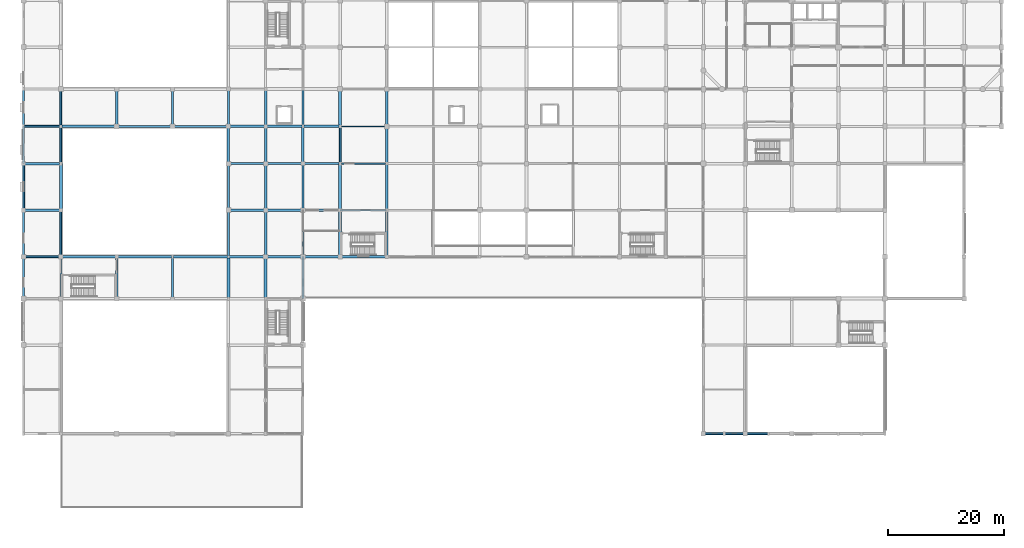
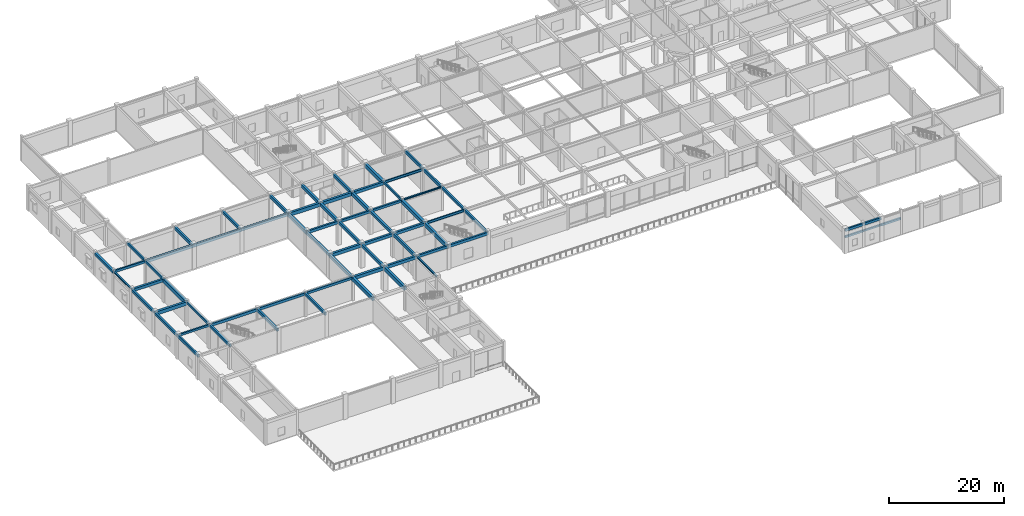
# One storey, part 5 of 36: 67 beams.
"""IFC4 building model written with IfcOpenShell, lengths in metres."""

from ifc_helpers import new_model, si_unit, direction, frame, origin, origin_2d, place, context, subcontext, project, spatial, rectangle, i_section, extrude, material, material_profile, profile_set, type_object, element, save


model = new_model("IFC4")

# Units and contexts
model_context = context("Model", 3, precision=1e-05, world=origin(), true_north=direction((0.0, 1.0)))
body_context = subcontext(model_context, "Body", "Model", "MODEL_VIEW")
ifc_project = project(units=[si_unit("LENGTHUNIT", "METRE"), si_unit("AREAUNIT", "SQUARE_METRE"), si_unit("VOLUMEUNIT", "CUBIC_METRE"), si_unit("PLANEANGLEUNIT", "RADIAN"), si_unit("MASSUNIT", "GRAM", prefix="KILO")], contexts=[model_context])

# Site, building, storey
site_placement = place(None, origin())
site = spatial("IfcSite", under=ifc_project, at=site_placement, CompositionType="ELEMENT")
building_placement = place(site_placement, origin())
building = spatial("IfcBuilding", under=site, at=building_placement, Name="Vellmiral Cinema and Media Centre", CompositionType="ELEMENT")
storey_placement = place(building_placement, frame((0.0, 0.0, 5.39990234375)))
storey = spatial("IfcBuildingStorey", under=building, at=storey_placement, Name="L01", CompositionType="ELEMENT", Elevation=5.39990234375)

# Beams
ifc_material_1 = material(Name="Concrete C40/50", Category="concrete")
ifc_material_profile_1 = material_profile(ifc_material_1, rectangle(XDim=0.300048828125, YDim=0.449951171875, at=origin_2d()), Name="RC 300x450")
ifc_profile_set_1 = profile_set([ifc_material_profile_1], Name="Concrete C40/50")
beam_type_1 = type_object("IfcBeamType", Name="BM-RC-300x450", PredefinedType="BEAM", material=ifc_profile_set_1)
beam_1_placement = place(storey_placement, frame((0.0, 43.199951171875, 4.81005859375), z_axis=(1.0, 0.0, 0.0), x_axis=(0.0, 1.0, 0.0)))
element("IfcBeam", 1, at=beam_1_placement, inside=storey, type_object=beam_type_1, Name="Grid Beam L01-X029", PredefinedType="BEAM", context=body_context, shape_type="SweptSolid", body=[
    extrude(rectangle(XDim=0.300048828125, YDim=0.449951171875, at=origin_2d()), origin(), (0.0, 0.0, 1.0), 6.39990234375),
])
beam_2_placement = place(storey_placement, frame((6.39990234375, 43.199951171875, 4.81005859375), z_axis=(0.0, 1.0, 0.0), x_axis=(-1.0, 0.0, 0.0)))
element("IfcBeam", 2, at=beam_2_placement, inside=storey, type_object=beam_type_1, Name="Grid Beam L01-Y191", PredefinedType="BEAM", context=body_context, shape_type="SweptSolid", body=[
    extrude(rectangle(XDim=0.300048828125, YDim=0.449951171875, at=origin_2d()), origin(), (0.0, 0.0, 1.0), 8.0),
])
beam_3_placement = place(storey_placement, frame((6.39990234375, 65.60009765625, 4.81005859375), z_axis=(0.0, 1.0, 0.0), x_axis=(-1.0, 0.0, 0.0)))
element("IfcBeam", 3, at=beam_3_placement, inside=storey, type_object=beam_type_1, Name="Grid Beam L01-Y194", PredefinedType="BEAM", context=body_context, shape_type="SweptSolid", body=[
    extrude(rectangle(XDim=0.300048828125, YDim=0.449951171875, at=origin_2d()), origin(), (0.0, 0.0, 1.0), 6.39990234375),
])
beam_4_placement = place(storey_placement, frame((54.39990234375, 59.199951171875, 4.81005859375), z_axis=(0.0, 1.0, 0.0), x_axis=(-1.0, 0.0, 0.0)))
element("IfcBeam", 4, at=beam_4_placement, inside=storey, type_object=beam_type_1, Name="Grid Beam L01-Y238", PredefinedType="BEAM", context=body_context, shape_type="SweptSolid", body=[
    extrude(rectangle(XDim=0.300048828125, YDim=0.449951171875, at=origin_2d()), origin(), (0.0, 0.0, 1.0), 6.400146484375),
])
ifc_material_2 = material(Name="Concrete C40/50", Category="concrete")
ifc_material_profile_2 = material_profile(ifc_material_2, rectangle(XDim=0.300048828125, YDim=0.5, at=origin_2d()), Name="RC 300x500")
ifc_profile_set_2 = profile_set([ifc_material_profile_2], Name="Concrete C40/50")
beam_type_2 = type_object("IfcBeamType", Name="BM-RC-300x500", PredefinedType="BEAM", material=ifc_profile_set_2)
beam_5_placement = place(storey_placement, frame((0.0, 65.60009765625, 4.78515625), z_axis=(1.0, 0.0, 0.0), x_axis=(0.0, 1.0, 0.0)))
element("IfcBeam", 5, at=beam_5_placement, inside=storey, type_object=beam_type_2, Name="Grid Beam L01-X072", PredefinedType="BEAM", context=body_context, shape_type="SweptSolid", body=[
    extrude(rectangle(XDim=0.300048828125, YDim=0.5, at=origin_2d()), origin(), (0.0, 0.0, 1.0), 6.39990234375),
])
beam_6_placement = place(storey_placement, frame((6.39990234375, 59.199951171875, 4.78515625), z_axis=(0.0, 1.0, 0.0), x_axis=(-1.0, 0.0, 0.0)))
element("IfcBeam", 6, at=beam_6_placement, inside=storey, type_object=beam_type_2, Name="Grid Beam L01-Y193", PredefinedType="BEAM", context=body_context, shape_type="SweptSolid", body=[
    extrude(rectangle(XDim=0.300048828125, YDim=0.5, at=origin_2d()), origin(), (0.0, 0.0, 1.0), 6.400146484375),
])
ifc_material_3 = material(Name="Concrete C40/50", Category="concrete")
ifc_material_profile_3 = material_profile(ifc_material_3, rectangle(XDim=0.35009765625, YDim=0.5, at=origin_2d()), Name="RC 350x500")
ifc_profile_set_3 = profile_set([ifc_material_profile_3], Name="Concrete C40/50")
beam_type_3 = type_object("IfcBeamType", Name="BM-RC-350x500", PredefinedType="BEAM", material=ifc_profile_set_3)
beam_7_placement = place(storey_placement, frame((25.60009765625, 43.199951171875, 4.78515625), z_axis=(1.0, 0.0, 0.0), x_axis=(0.0, 1.0, 0.0)))
element("IfcBeam", 7, at=beam_7_placement, inside=storey, type_object=beam_type_3, Name="Grid Beam L01-X032", PredefinedType="BEAM", context=body_context, shape_type="SweptSolid", body=[
    extrude(rectangle(XDim=0.35009765625, YDim=0.5, at=origin_2d()), origin(), (0.0, 0.0, 1.0), 9.599853515625),
])
beam_8_placement = place(storey_placement, frame((48.0, 59.199951171875, 4.78515625), z_axis=(1.0, 0.0, 0.0), x_axis=(0.0, 1.0, 0.0)))
element("IfcBeam", 8, at=beam_8_placement, inside=storey, type_object=beam_type_3, Name="Grid Beam L01-X060", PredefinedType="BEAM", context=body_context, shape_type="SweptSolid", body=[
    extrude(rectangle(XDim=0.35009765625, YDim=0.5, at=origin_2d()), origin(), (0.0, 0.0, 1.0), 6.39990234375),
])
beam_9_placement = place(storey_placement, frame((62.39990234375, 51.199951171875, 4.78515625), z_axis=(0.0, 1.0, 0.0), x_axis=(-1.0, 0.0, 0.0)))
element("IfcBeam", 9, at=beam_9_placement, inside=storey, type_object=beam_type_3, Name="Grid Beam L01-Y244", PredefinedType="BEAM", context=body_context, shape_type="SweptSolid", body=[
    extrude(rectangle(XDim=0.35009765625, YDim=0.5, at=origin_2d()), origin(), (0.0, 0.0, 1.0), 8.0),
])
ifc_material_4 = material(Name="Concrete C40/50", Category="concrete")
ifc_material_profile_4 = material_profile(ifc_material_4, rectangle(XDim=0.35009765625, YDim=0.550048828125, at=origin_2d()), Name="RC 350x550")
ifc_profile_set_4 = profile_set([ifc_material_profile_4], Name="Concrete C40/50")
beam_type_4 = type_object("IfcBeamType", Name="BM-RC-350x550", PredefinedType="BEAM", material=ifc_profile_set_4)
beam_10_placement = place(storey_placement, frame((16.0, 43.199951171875, 4.760009765625), z_axis=(1.0, 0.0, 0.0), x_axis=(0.0, 1.0, 0.0)))
element("IfcBeam", 10, at=beam_10_placement, inside=storey, type_object=beam_type_4, Name="Grid Beam L01-X031", PredefinedType="BEAM", context=body_context, shape_type="SweptSolid", body=[
    extrude(rectangle(XDim=0.35009765625, YDim=0.550048828125, at=origin_2d()), origin(), (0.0, 0.0, 1.0), 9.60009765625),
])
beam_11_placement = place(storey_placement, frame((41.60009765625, 59.199951171875, 4.760009765625), z_axis=(1.0, 0.0, 0.0), x_axis=(0.0, 1.0, 0.0)))
element("IfcBeam", 11, at=beam_11_placement, inside=storey, type_object=beam_type_4, Name="Grid Beam L01-X059", PredefinedType="BEAM", context=body_context, shape_type="SweptSolid", body=[
    extrude(rectangle(XDim=0.35009765625, YDim=0.550048828125, at=origin_2d()), origin(), (0.0, 0.0, 1.0), 6.39990234375),
])
beam_12_placement = place(storey_placement, frame((25.60009765625, 65.60009765625, 4.760009765625), z_axis=(1.0, 0.0, 0.0), x_axis=(0.0, 1.0, 0.0)))
element("IfcBeam", 12, at=beam_12_placement, inside=storey, type_object=beam_type_4, Name="Grid Beam L01-X075", PredefinedType="BEAM", context=body_context, shape_type="SweptSolid", body=[
    extrude(rectangle(XDim=0.35009765625, YDim=0.550048828125, at=origin_2d()), origin(), (0.0, 0.0, 1.0), 9.599853515625),
])
for number, where, z_axis, x_axis, name in (
    (13, (6.39990234375, 36.0, 4.760009765625), (0.0, 1.0, 0.0), (-1.0, 0.0, 0.0), "Grid Beam L01-Y190"),
    (14, (25.60009765625, 36.0, 4.760009765625), (0.0, 1.0, 0.0), (-1.0, 0.0, 0.0), "Grid Beam L01-Y201"),
):
    element("IfcBeam", number, at=place(storey_placement, frame(where, z_axis=z_axis, x_axis=x_axis)), inside=storey, type_object=beam_type_4, Name=name, PredefinedType="BEAM", context=body_context, shape_type="SweptSolid", body=[
        extrude(rectangle(XDim=0.35009765625, YDim=0.550048828125, at=origin_2d()), origin(), (0.0, 0.0, 1.0), 7.199951171875),
    ])
beam_13_placement = place(storey_placement, frame((25.60009765625, 65.60009765625, 4.760009765625), z_axis=(0.0, 1.0, 0.0), x_axis=(-1.0, 0.0, 0.0)))
element("IfcBeam", 15, at=beam_13_placement, inside=storey, type_object=beam_type_4, Name="Grid Beam L01-Y202", PredefinedType="BEAM", context=body_context, shape_type="SweptSolid", body=[
    extrude(rectangle(XDim=0.35009765625, YDim=0.550048828125, at=origin_2d()), origin(), (0.0, 0.0, 1.0), 6.39990234375),
])
beam_14_placement = place(storey_placement, frame((62.39990234375, 43.199951171875, 4.760009765625), z_axis=(0.0, 1.0, 0.0), x_axis=(-1.0, 0.0, 0.0)))
element("IfcBeam", 16, at=beam_14_placement, inside=storey, type_object=beam_type_4, Name="Grid Beam L01-Y243", PredefinedType="BEAM", context=body_context, shape_type="SweptSolid", body=[
    extrude(rectangle(XDim=0.35009765625, YDim=0.550048828125, at=origin_2d()), origin(), (0.0, 0.0, 1.0), 8.0),
])
beam_15_placement = place(storey_placement, frame((62.39990234375, 65.60009765625, 4.760009765625), z_axis=(0.0, 1.0, 0.0), x_axis=(-1.0, 0.0, 0.0)))
element("IfcBeam", 17, at=beam_15_placement, inside=storey, type_object=beam_type_4, Name="Grid Beam L01-Y246", PredefinedType="BEAM", context=body_context, shape_type="SweptSolid", body=[
    extrude(rectangle(XDim=0.35009765625, YDim=0.550048828125, at=origin_2d()), origin(), (0.0, 0.0, 1.0), 6.39990234375),
])
ifc_material_5 = material(Name="Concrete C40/50", Category="concrete")
ifc_material_profile_5 = material_profile(ifc_material_5, rectangle(XDim=0.35009765625, YDim=0.60009765625, at=origin_2d()), Name="RC 350x600")
ifc_profile_set_5 = profile_set([ifc_material_profile_5], Name="Concrete C40/50")
beam_type_5 = type_object("IfcBeamType", Name="BM-RC-350x600", PredefinedType="BEAM", material=ifc_profile_set_5)
beam_16_placement = place(storey_placement, frame((6.39990234375, 43.199951171875, 4.735107421875), z_axis=(1.0, 0.0, 0.0), x_axis=(0.0, 1.0, 0.0)))
element("IfcBeam", 18, at=beam_16_placement, inside=storey, type_object=beam_type_5, Name="Grid Beam L01-X030", PredefinedType="BEAM", context=body_context, shape_type="SweptSolid", body=[
    extrude(rectangle(XDim=0.35009765625, YDim=0.60009765625, at=origin_2d()), origin(), (0.0, 0.0, 1.0), 9.60009765625),
])
beam_17_placement = place(storey_placement, frame((35.199951171875, 59.199951171875, 4.735107421875), z_axis=(1.0, 0.0, 0.0), x_axis=(0.0, 1.0, 0.0)))
element("IfcBeam", 19, at=beam_17_placement, inside=storey, type_object=beam_type_5, Name="Grid Beam L01-X058", PredefinedType="BEAM", context=body_context, shape_type="SweptSolid", body=[
    extrude(rectangle(XDim=0.35009765625, YDim=0.60009765625, at=origin_2d()), origin(), (0.0, 0.0, 1.0), 6.400146484375),
])
beam_18_placement = place(storey_placement, frame((16.0, 65.60009765625, 4.735107421875), z_axis=(1.0, 0.0, 0.0), x_axis=(0.0, 1.0, 0.0)))
element("IfcBeam", 20, at=beam_18_placement, inside=storey, type_object=beam_type_5, Name="Grid Beam L01-X074", PredefinedType="BEAM", context=body_context, shape_type="SweptSolid", body=[
    extrude(rectangle(XDim=0.35009765625, YDim=0.60009765625, at=origin_2d()), origin(), (0.0, 0.0, 1.0), 9.60009765625),
])
beam_19_placement = place(storey_placement, frame((62.39990234375, 59.199951171875, 4.735107421875), z_axis=(0.0, 1.0, 0.0), x_axis=(-1.0, 0.0, 0.0)))
element("IfcBeam", 21, at=beam_19_placement, inside=storey, type_object=beam_type_5, Name="Grid Beam L01-Y245", PredefinedType="BEAM", context=body_context, shape_type="SweptSolid", body=[
    extrude(rectangle(XDim=0.35009765625, YDim=0.60009765625, at=origin_2d()), origin(), (0.0, 0.0, 1.0), 6.400146484375),
])
ifc_material_6 = material(Name="Concrete C40/50", Category="concrete")
ifc_material_profile_6 = material_profile(ifc_material_6, rectangle(XDim=0.39990234375, YDim=0.60009765625, at=origin_2d()), Name="RC 400x600")
ifc_profile_set_6 = profile_set([ifc_material_profile_6], Name="Concrete C40/50")
beam_type_6 = type_object("IfcBeamType", Name="BM-RC-400x600", PredefinedType="BEAM", material=ifc_profile_set_6)
for number, where, z_axis, x_axis, name in (
    (22, (48.0, 51.199951171875, 4.735107421875), (1.0, 0.0, 0.0), (0.0, 1.0, 0.0), "Grid Beam L01-X046"),
    (23, (0.0, 59.199951171875, 4.735107421875), (1.0, 0.0, 0.0), (0.0, 1.0, 0.0), "Grid Beam L01-X057"),
):
    element("IfcBeam", number, at=place(storey_placement, frame(where, z_axis=z_axis, x_axis=x_axis)), inside=storey, type_object=beam_type_6, Name=name, PredefinedType="BEAM", context=body_context, shape_type="SweptSolid", body=[
        extrude(rectangle(XDim=0.39990234375, YDim=0.60009765625, at=origin_2d()), origin(), (0.0, 0.0, 1.0), 6.39990234375),
    ])
beam_20_placement = place(storey_placement, frame((6.39990234375, 65.60009765625, 4.735107421875), z_axis=(1.0, 0.0, 0.0), x_axis=(0.0, 1.0, 0.0)))
element("IfcBeam", 24, at=beam_20_placement, inside=storey, type_object=beam_type_6, Name="Grid Beam L01-X073", PredefinedType="BEAM", context=body_context, shape_type="SweptSolid", body=[
    extrude(rectangle(XDim=0.39990234375, YDim=0.60009765625, at=origin_2d()), origin(), (0.0, 0.0, 1.0), 9.60009765625),
])
beam_21_placement = place(storey_placement, frame((16.0, 36.0, 4.735107421875), z_axis=(0.0, 1.0, 0.0), x_axis=(-1.0, 0.0, 0.0)))
element("IfcBeam", 25, at=beam_21_placement, inside=storey, type_object=beam_type_6, Name="Grid Beam L01-Y199", PredefinedType="BEAM", context=body_context, shape_type="SweptSolid", body=[
    extrude(rectangle(XDim=0.39990234375, YDim=0.60009765625, at=origin_2d()), origin(), (0.0, 0.0, 1.0), 7.199951171875),
])
beam_22_placement = place(storey_placement, frame((16.0, 65.60009765625, 4.735107421875), z_axis=(0.0, 1.0, 0.0), x_axis=(-1.0, 0.0, 0.0)))
element("IfcBeam", 26, at=beam_22_placement, inside=storey, type_object=beam_type_6, Name="Grid Beam L01-Y200", PredefinedType="BEAM", context=body_context, shape_type="SweptSolid", body=[
    extrude(rectangle(XDim=0.39990234375, YDim=0.60009765625, at=origin_2d()), origin(), (0.0, 0.0, 1.0), 6.39990234375),
])
for number, where, z_axis, x_axis, name in (
    (27, (35.199951171875, 51.199951171875, 4.735107421875), (0.0, 1.0, 0.0), (-1.0, 0.0, 0.0), "Grid Beam L01-Y208"),
    (28, (41.60009765625, 51.199951171875, 4.735107421875), (0.0, 1.0, 0.0), (-1.0, 0.0, 0.0), "Grid Beam L01-Y219"),
    (29, (48.0, 51.199951171875, 4.735107421875), (0.0, 1.0, 0.0), (-1.0, 0.0, 0.0), "Grid Beam L01-Y230"),
):
    element("IfcBeam", number, at=place(storey_placement, frame(where, z_axis=z_axis, x_axis=x_axis)), inside=storey, type_object=beam_type_6, Name=name, PredefinedType="BEAM", context=body_context, shape_type="SweptSolid", body=[
        extrude(rectangle(XDim=0.39990234375, YDim=0.60009765625, at=origin_2d()), origin(), (0.0, 0.0, 1.0), 8.0),
    ])
ifc_material_7 = material(Name="Concrete C40/50", Category="concrete")
ifc_material_profile_7 = material_profile(ifc_material_7, rectangle(XDim=0.39990234375, YDim=0.64990234375, at=origin_2d()), Name="RC 400x650")
ifc_profile_set_7 = profile_set([ifc_material_profile_7], Name="Concrete C40/50")
beam_type_7 = type_object("IfcBeamType", Name="BM-RC-400x650", PredefinedType="BEAM", material=ifc_profile_set_7)
for number, where, z_axis, x_axis, name in (
    (30, (41.60009765625, 43.199951171875, 4.710205078125), (1.0, 0.0, 0.0), (0.0, 1.0, 0.0), "Grid Beam L01-X034"),
    (31, (41.60009765625, 51.199951171875, 4.710205078125), (1.0, 0.0, 0.0), (0.0, 1.0, 0.0), "Grid Beam L01-X045"),
    (32, (48.0, 65.60009765625, 4.710205078125), (1.0, 0.0, 0.0), (0.0, 1.0, 0.0), "Grid Beam L01-X078"),
):
    element("IfcBeam", number, at=place(storey_placement, frame(where, z_axis=z_axis, x_axis=x_axis)), inside=storey, type_object=beam_type_7, Name=name, PredefinedType="BEAM", context=body_context, shape_type="SweptSolid", body=[
        extrude(rectangle(XDim=0.39990234375, YDim=0.64990234375, at=origin_2d()), origin(), (0.0, 0.0, 1.0), 6.39990234375),
    ])
beam_23_placement = place(storey_placement, frame((35.199951171875, 43.199951171875, 4.710205078125), z_axis=(0.0, 1.0, 0.0), x_axis=(-1.0, 0.0, 0.0)))
element("IfcBeam", 33, at=beam_23_placement, inside=storey, type_object=beam_type_7, Name="Grid Beam L01-Y207", PredefinedType="BEAM", context=body_context, shape_type="SweptSolid", body=[
    extrude(rectangle(XDim=0.39990234375, YDim=0.64990234375, at=origin_2d()), origin(), (0.0, 0.0, 1.0), 8.0),
])
beam_24_placement = place(storey_placement, frame((35.199951171875, 65.60009765625, 4.710205078125), z_axis=(0.0, 1.0, 0.0), x_axis=(-1.0, 0.0, 0.0)))
element("IfcBeam", 34, at=beam_24_placement, inside=storey, type_object=beam_type_7, Name="Grid Beam L01-Y210", PredefinedType="BEAM", context=body_context, shape_type="SweptSolid", body=[
    extrude(rectangle(XDim=0.39990234375, YDim=0.64990234375, at=origin_2d()), origin(), (0.0, 0.0, 1.0), 6.39990234375),
])
beam_25_placement = place(storey_placement, frame((41.60009765625, 43.199951171875, 4.710205078125), z_axis=(0.0, 1.0, 0.0), x_axis=(-1.0, 0.0, 0.0)))
element("IfcBeam", 35, at=beam_25_placement, inside=storey, type_object=beam_type_7, Name="Grid Beam L01-Y218", PredefinedType="BEAM", context=body_context, shape_type="SweptSolid", body=[
    extrude(rectangle(XDim=0.39990234375, YDim=0.64990234375, at=origin_2d()), origin(), (0.0, 0.0, 1.0), 8.0),
])
beam_26_placement = place(storey_placement, frame((41.60009765625, 65.60009765625, 4.710205078125), z_axis=(0.0, 1.0, 0.0), x_axis=(-1.0, 0.0, 0.0)))
element("IfcBeam", 36, at=beam_26_placement, inside=storey, type_object=beam_type_7, Name="Grid Beam L01-Y221", PredefinedType="BEAM", context=body_context, shape_type="SweptSolid", body=[
    extrude(rectangle(XDim=0.39990234375, YDim=0.64990234375, at=origin_2d()), origin(), (0.0, 0.0, 1.0), 6.39990234375),
])
beam_27_placement = place(storey_placement, frame((48.0, 43.199951171875, 4.710205078125), z_axis=(0.0, 1.0, 0.0), x_axis=(-1.0, 0.0, 0.0)))
element("IfcBeam", 37, at=beam_27_placement, inside=storey, type_object=beam_type_7, Name="Grid Beam L01-Y229", PredefinedType="BEAM", context=body_context, shape_type="SweptSolid", body=[
    extrude(rectangle(XDim=0.39990234375, YDim=0.64990234375, at=origin_2d()), origin(), (0.0, 0.0, 1.0), 8.0),
])
beam_28_placement = place(storey_placement, frame((48.0, 65.60009765625, 4.710205078125), z_axis=(0.0, 1.0, 0.0), x_axis=(-1.0, 0.0, 0.0)))
element("IfcBeam", 38, at=beam_28_placement, inside=storey, type_object=beam_type_7, Name="Grid Beam L01-Y232", PredefinedType="BEAM", context=body_context, shape_type="SweptSolid", body=[
    extrude(rectangle(XDim=0.39990234375, YDim=0.64990234375, at=origin_2d()), origin(), (0.0, 0.0, 1.0), 6.39990234375),
])
ifc_material_8 = material(Name="Concrete C40/50", Category="concrete")
ifc_material_profile_8 = material_profile(ifc_material_8, rectangle(XDim=0.449951171875, YDim=0.699951171875, at=origin_2d()), Name="RC 450x700")
ifc_profile_set_8 = profile_set([ifc_material_profile_8], Name="Concrete C40/50")
beam_type_8 = type_object("IfcBeamType", Name="BM-RC-450x700", PredefinedType="BEAM", material=ifc_profile_set_8)
for number, where, z_axis, x_axis, name in (
    (39, (35.199951171875, 43.199951171875, 4.68505859375), (1.0, 0.0, 0.0), (0.0, 1.0, 0.0), "Grid Beam L01-X033"),
    (40, (35.199951171875, 51.199951171875, 4.68505859375), (1.0, 0.0, 0.0), (0.0, 1.0, 0.0), "Grid Beam L01-X044"),
):
    element("IfcBeam", number, at=place(storey_placement, frame(where, z_axis=z_axis, x_axis=x_axis)), inside=storey, type_object=beam_type_8, Name=name, PredefinedType="BEAM", context=body_context, shape_type="SweptSolid", body=[
        extrude(rectangle(XDim=0.449951171875, YDim=0.699951171875, at=origin_2d()), origin(), (0.0, 0.0, 1.0), 6.400146484375),
    ])
beam_29_placement = place(storey_placement, frame((41.60009765625, 65.60009765625, 4.68505859375), z_axis=(1.0, 0.0, 0.0), x_axis=(0.0, 1.0, 0.0)))
element("IfcBeam", 41, at=beam_29_placement, inside=storey, type_object=beam_type_8, Name="Grid Beam L01-X077", PredefinedType="BEAM", context=body_context, shape_type="SweptSolid", body=[
    extrude(rectangle(XDim=0.449951171875, YDim=0.699951171875, at=origin_2d()), origin(), (0.0, 0.0, 1.0), 6.39990234375),
])
for number, where, z_axis, x_axis, name in (
    (42, (35.199951171875, 59.199951171875, 4.68505859375), (0.0, 1.0, 0.0), (-1.0, 0.0, 0.0), "Grid Beam L01-Y209"),
    (43, (41.60009765625, 59.199951171875, 4.68505859375), (0.0, 1.0, 0.0), (-1.0, 0.0, 0.0), "Grid Beam L01-Y220"),
    (44, (48.0, 59.199951171875, 4.68505859375), (0.0, 1.0, 0.0), (-1.0, 0.0, 0.0), "Grid Beam L01-Y231"),
):
    element("IfcBeam", number, at=place(storey_placement, frame(where, z_axis=z_axis, x_axis=x_axis)), inside=storey, type_object=beam_type_8, Name=name, PredefinedType="BEAM", context=body_context, shape_type="SweptSolid", body=[
        extrude(rectangle(XDim=0.449951171875, YDim=0.699951171875, at=origin_2d()), origin(), (0.0, 0.0, 1.0), 6.400146484375),
    ])
ifc_material_9 = material(Name="Concrete C40/50", Category="concrete")
ifc_material_profile_9 = material_profile(ifc_material_9, rectangle(XDim=0.449951171875, YDim=0.75, at=origin_2d()), Name="RC 450x750")
ifc_profile_set_9 = profile_set([ifc_material_profile_9], Name="Concrete C40/50")
beam_type_9 = type_object("IfcBeamType", Name="BM-RC-450x750", PredefinedType="BEAM", material=ifc_profile_set_9)
beam_30_placement = place(storey_placement, frame((0.0, 51.199951171875, 4.66015625), z_axis=(1.0, 0.0, 0.0), x_axis=(0.0, 1.0, 0.0)))
element("IfcBeam", 45, at=beam_30_placement, inside=storey, type_object=beam_type_9, Name="Grid Beam L01-X043", PredefinedType="BEAM", context=body_context, shape_type="SweptSolid", body=[
    extrude(rectangle(XDim=0.449951171875, YDim=0.75, at=origin_2d()), origin(), (0.0, 0.0, 1.0), 6.39990234375),
])
beam_31_placement = place(storey_placement, frame((35.199951171875, 65.60009765625, 4.66015625), z_axis=(1.0, 0.0, 0.0), x_axis=(0.0, 1.0, 0.0)))
element("IfcBeam", 46, at=beam_31_placement, inside=storey, type_object=beam_type_9, Name="Grid Beam L01-X076", PredefinedType="BEAM", context=body_context, shape_type="SweptSolid", body=[
    extrude(rectangle(XDim=0.449951171875, YDim=0.75, at=origin_2d()), origin(), (0.0, 0.0, 1.0), 6.400146484375),
])
ifc_material_10 = material(Name="Concrete C40/50", Category="concrete")
ifc_material_profile_10 = material_profile(ifc_material_10, rectangle(XDim=0.5, YDim=0.800048828125, at=origin_2d()), Name="RC 500x800")
ifc_profile_set_10 = profile_set([ifc_material_profile_10], Name="Concrete C40/50")
beam_type_10 = type_object("IfcBeamType", Name="BM-RC-500x800", PredefinedType="BEAM", material=ifc_profile_set_10)
for number, where, z_axis, x_axis, name in (
    (47, (35.199951171875, 36.0, 4.635009765625), (0.0, 1.0, 0.0), (-1.0, 0.0, 0.0), "Grid Beam L01-Y206"),
    (48, (41.60009765625, 36.0, 4.635009765625), (0.0, 1.0, 0.0), (-1.0, 0.0, 0.0), "Grid Beam L01-Y217"),
):
    element("IfcBeam", number, at=place(storey_placement, frame(where, z_axis=z_axis, x_axis=x_axis)), inside=storey, type_object=beam_type_10, Name=name, PredefinedType="BEAM", context=body_context, shape_type="SweptSolid", body=[
        extrude(rectangle(XDim=0.5, YDim=0.800048828125, at=origin_2d()), origin(), (0.0, 0.0, 1.0), 7.199951171875),
    ])
beam_32_placement = place(storey_placement, frame((54.39990234375, 51.199951171875, 4.635009765625), z_axis=(0.0, 1.0, 0.0), x_axis=(-1.0, 0.0, 0.0)))
element("IfcBeam", 49, at=beam_32_placement, inside=storey, type_object=beam_type_10, Name="Grid Beam L01-Y237", PredefinedType="BEAM", context=body_context, shape_type="SweptSolid", body=[
    extrude(rectangle(XDim=0.5, YDim=0.800048828125, at=origin_2d()), origin(), (0.0, 0.0, 1.0), 8.0),
])
ifc_material_11 = material(Name="Concrete C40/50", Category="concrete")
ifc_material_profile_11 = material_profile(ifc_material_11, rectangle(XDim=0.5, YDim=0.85009765625, at=origin_2d()), Name="RC 500x850")
ifc_profile_set_11 = profile_set([ifc_material_profile_11], Name="Concrete C40/50")
beam_type_11 = type_object("IfcBeamType", Name="BM-RC-500x850", PredefinedType="BEAM", material=ifc_profile_set_11)
for number, where, z_axis, x_axis, name in (
    (50, (6.39990234375, 51.199951171875, 4.610107421875), (0.0, 1.0, 0.0), (-1.0, 0.0, 0.0), "Grid Beam L01-Y192"),
    (51, (54.39990234375, 43.199951171875, 4.610107421875), (0.0, 1.0, 0.0), (-1.0, 0.0, 0.0), "Grid Beam L01-Y236"),
):
    element("IfcBeam", number, at=place(storey_placement, frame(where, z_axis=z_axis, x_axis=x_axis)), inside=storey, type_object=beam_type_11, Name=name, PredefinedType="BEAM", context=body_context, shape_type="SweptSolid", body=[
        extrude(rectangle(XDim=0.5, YDim=0.85009765625, at=origin_2d()), origin(), (0.0, 0.0, 1.0), 8.0),
    ])
beam_33_placement = place(storey_placement, frame((54.39990234375, 65.60009765625, 4.610107421875), z_axis=(0.0, 1.0, 0.0), x_axis=(-1.0, 0.0, 0.0)))
element("IfcBeam", 52, at=beam_33_placement, inside=storey, type_object=beam_type_11, Name="Grid Beam L01-Y239", PredefinedType="BEAM", context=body_context, shape_type="SweptSolid", body=[
    extrude(rectangle(XDim=0.5, YDim=0.85009765625, at=origin_2d()), origin(), (0.0, 0.0, 1.0), 6.39990234375),
])
ifc_material_12 = material(Name="Concrete C40/50", Category="concrete")
ifc_material_profile_12 = material_profile(ifc_material_12, rectangle(XDim=0.280029296875, YDim=0.35009765625, at=origin_2d()), Name="RC 280x350")
ifc_profile_set_12 = profile_set([ifc_material_profile_12], Name="Concrete C40/50")
beam_type_12 = type_object("IfcBeamType", Name="LNT-RC-280x350", PredefinedType="LINTEL", material=ifc_profile_set_12)
beam_34_placement = place(storey_placement, frame((120.39990234375, 12.800048828125, 3.35009765625), z_axis=(1.0, 0.0, 0.0), x_axis=(0.0, 1.0, 0.0)))
element("IfcBeam", 53, at=beam_34_placement, inside=storey, type_object=beam_type_12, Name="Harbour Arcade Lintel L01-12", PredefinedType="LINTEL", context=body_context, shape_type="SweptSolid", body=[
    extrude(rectangle(XDim=0.280029296875, YDim=0.35009765625, at=origin_2d()), origin(), (0.0, 0.0, 1.0), 3.60009765625),
])
ifc_material_13 = material(Name="Vosges Red Sandstone Masonry", Category="masonry")
ifc_material_profile_13 = material_profile(ifc_material_13, rectangle(XDim=0.320068359375, YDim=0.39990234375, at=origin_2d()), Name="SAND 320x400")
ifc_profile_set_13 = profile_set([ifc_material_profile_13], Name="Vosges Red Sandstone Masonry")
beam_type_13 = type_object("IfcBeamType", Name="LNT-SAND-320x400", PredefinedType="LINTEL", material=ifc_profile_set_13)
beam_35_placement = place(storey_placement, frame((116.800048828125, 12.800048828125, 3.35009765625), z_axis=(1.0, 0.0, 0.0), x_axis=(0.0, 1.0, 0.0)))
element("IfcBeam", 54, at=beam_35_placement, inside=storey, type_object=beam_type_13, Name="Harbour Arcade Lintel L01-11", PredefinedType="LINTEL", context=body_context, shape_type="SweptSolid", body=[
    extrude(rectangle(XDim=0.320068359375, YDim=0.39990234375, at=origin_2d()), origin(), (0.0, 0.0, 1.0), 3.599853515625),
])
beam_36_placement = place(storey_placement, frame((124.0, 12.800048828125, 3.35009765625), z_axis=(1.0, 0.0, 0.0), x_axis=(0.0, 1.0, 0.0)))
element("IfcBeam", 55, at=beam_36_placement, inside=storey, type_object=beam_type_13, Name="Harbour Arcade Lintel L01-13", PredefinedType="LINTEL", context=body_context, shape_type="SweptSolid", body=[
    extrude(rectangle(XDim=0.320068359375, YDim=0.39990234375, at=origin_2d()), origin(), (0.0, 0.0, 1.0), 4.0),
])
ifc_material_14 = material(Name="Steel S355", Category="steel")
ifc_material_profile_14 = material_profile(ifc_material_14, i_section(OverallWidth=0.280029296875, OverallDepth=0.280029296875, WebThickness=0.010498046875, FlangeThickness=0.01806640625, FilletRadius=0.02392578125, at=origin_2d()), Name="HEB 280")
ifc_profile_set_14 = profile_set([ifc_material_profile_14], Name="Steel S355")
beam_type_14 = type_object("IfcBeamType", Name="SBM-HEB280", PredefinedType="BEAM", material=ifc_profile_set_14)
beam_37_placement = place(storey_placement, frame((54.39990234375, 59.199951171875, 4.89501953125), z_axis=(1.0, 0.0, 0.0), x_axis=(0.0, 1.0, 0.0)))
element("IfcBeam", 56, at=beam_37_placement, inside=storey, type_object=beam_type_14, Name="Grid Beam L01-X061", PredefinedType="BEAM", context=body_context, shape_type="SweptSolid", body=[
    extrude(i_section(OverallWidth=0.280029296875, OverallDepth=0.280029296875, WebThickness=0.010498046875, FlangeThickness=0.01806640625, FilletRadius=0.02392578125, at=origin_2d()), origin(), (0.0, 0.0, 1.0), 8.0),
])
ifc_material_15 = material(Name="Steel S355", Category="steel")
ifc_material_profile_15 = material_profile(ifc_material_15, i_section(OverallWidth=0.300048828125, OverallDepth=0.300048828125, WebThickness=0.010986328125, FlangeThickness=0.01904296875, FilletRadius=0.027099609375, at=origin_2d()), Name="HEB 300")
ifc_profile_set_15 = profile_set([ifc_material_profile_15], Name="Steel S355")
beam_type_15 = type_object("IfcBeamType", Name="SBM-HEB300", PredefinedType="SPANDREL", material=ifc_profile_set_15)
beam_38_placement = place(storey_placement, frame((0.0, 59.199951171875, 4.885009765625), z_axis=(0.0, 1.0, 0.0), x_axis=(-1.0, 0.0, 0.0)))
element("IfcBeam", 57, at=beam_38_placement, inside=storey, type_object=beam_type_15, Name="Grid Beam L01-Y183", PredefinedType="SPANDREL", context=body_context, shape_type="SweptSolid", body=[
    extrude(i_section(OverallWidth=0.300048828125, OverallDepth=0.300048828125, WebThickness=0.010986328125, FlangeThickness=0.01904296875, FilletRadius=0.027099609375, at=origin_2d()), origin(), (0.0, 0.0, 1.0), 6.400146484375),
])
beam_39_placement = place(storey_placement, frame((48.0, 36.0, 4.885009765625), z_axis=(0.0, 1.0, 0.0), x_axis=(-1.0, 0.0, 0.0)))
element("IfcBeam", 58, at=beam_39_placement, inside=storey, type_object=beam_type_15, Name="Grid Beam L01-Y228", PredefinedType="SPANDREL", context=body_context, shape_type="SweptSolid", body=[
    extrude(i_section(OverallWidth=0.300048828125, OverallDepth=0.300048828125, WebThickness=0.010986328125, FlangeThickness=0.01904296875, FilletRadius=0.027099609375, at=origin_2d()), origin(), (0.0, 0.0, 1.0), 7.199951171875),
])
ifc_material_16 = material(Name="Steel S355", Category="steel")
ifc_material_profile_16 = material_profile(ifc_material_16, i_section(OverallWidth=0.2099609375, OverallDepth=0.550048828125, WebThickness=0.010986328125, FlangeThickness=0.01708984375, FilletRadius=0.02392578125, at=origin_2d()), Name="IPE 550")
ifc_profile_set_16 = profile_set([ifc_material_profile_16], Name="Steel S355")
beam_type_16 = type_object("IfcBeamType", Name="SBM-IPE550", PredefinedType="BEAM", material=ifc_profile_set_16)
for number, where, z_axis, x_axis, name in (
    (59, (54.39990234375, 51.199951171875, 4.760009765625), (1.0, 0.0, 0.0), (0.0, 1.0, 0.0), "Grid Beam L01-X047"),
    (60, (54.39990234375, 65.60009765625, 4.760009765625), (1.0, 0.0, 0.0), (0.0, 1.0, 0.0), "Grid Beam L01-X079"),
):
    element("IfcBeam", number, at=place(storey_placement, frame(where, z_axis=z_axis, x_axis=x_axis)), inside=storey, type_object=beam_type_16, Name=name, PredefinedType="BEAM", context=body_context, shape_type="SweptSolid", body=[
        extrude(i_section(OverallWidth=0.2099609375, OverallDepth=0.550048828125, WebThickness=0.010986328125, FlangeThickness=0.01708984375, FilletRadius=0.02392578125, at=origin_2d()), origin(), (0.0, 0.0, 1.0), 8.0),
    ])
ifc_material_17 = material(Name="Concrete C40/50", Category="concrete")
ifc_material_profile_17 = material_profile(ifc_material_17, rectangle(XDim=0.35009765625, YDim=0.56005859375, at=origin_2d()), Name="RC 350x560")
ifc_profile_set_17 = profile_set([ifc_material_profile_17], Name="Concrete C40/50")
beam_type_17 = type_object("IfcBeamType", Name="SPD-RC-350x560", PredefinedType="SPANDREL", material=ifc_profile_set_17)
beam_40_placement = place(storey_placement, frame((48.0, 43.199951171875, 4.755126953125), z_axis=(1.0, 0.0, 0.0), x_axis=(0.0, 1.0, 0.0)))
element("IfcBeam", 61, at=beam_40_placement, inside=storey, type_object=beam_type_17, Name="Grid Beam L01-X035", PredefinedType="SPANDREL", context=body_context, shape_type="SweptSolid", body=[
    extrude(rectangle(XDim=0.35009765625, YDim=0.56005859375, at=origin_2d()), origin(), (0.0, 0.0, 1.0), 6.39990234375),
])
beam_41_placement = place(storey_placement, frame((0.0, 36.0, 4.755126953125), z_axis=(0.0, 1.0, 0.0), x_axis=(-1.0, 0.0, 0.0)))
element("IfcBeam", 62, at=beam_41_placement, inside=storey, type_object=beam_type_17, Name="Grid Beam L01-Y180", PredefinedType="SPANDREL", context=body_context, shape_type="SweptSolid", body=[
    extrude(rectangle(XDim=0.35009765625, YDim=0.56005859375, at=origin_2d()), origin(), (0.0, 0.0, 1.0), 7.199951171875),
])
ifc_material_18 = material(Name="Concrete C40/50", Category="concrete")
ifc_material_profile_18 = material_profile(ifc_material_18, rectangle(XDim=0.39990234375, YDim=0.60009765625, at=origin_2d()), Name="RC 400x600")
ifc_profile_set_18 = profile_set([ifc_material_profile_18], Name="Concrete C40/50")
beam_type_18 = type_object("IfcBeamType", Name="SPD-RC-400x600", PredefinedType="SPANDREL", material=ifc_profile_set_18)
beam_42_placement = place(storey_placement, frame((0.0, 65.60009765625, 4.735107421875), z_axis=(0.0, 1.0, 0.0), x_axis=(-1.0, 0.0, 0.0)))
element("IfcBeam", 63, at=beam_42_placement, inside=storey, type_object=beam_type_18, Name="Grid Beam L01-Y184", PredefinedType="SPANDREL", context=body_context, shape_type="SweptSolid", body=[
    extrude(rectangle(XDim=0.39990234375, YDim=0.60009765625, at=origin_2d()), origin(), (0.0, 0.0, 1.0), 6.39990234375),
])
ifc_material_19 = material(Name="Vosges Red Sandstone Masonry", Category="masonry")
ifc_material_profile_19 = material_profile(ifc_material_19, rectangle(XDim=0.340087890625, YDim=0.52001953125, at=origin_2d()), Name="SAND 340x520")
ifc_profile_set_19 = profile_set([ifc_material_profile_19], Name="Vosges Red Sandstone Masonry")
beam_type_19 = type_object("IfcBeamType", Name="SPD-SAND-340x520", PredefinedType="SPANDREL", material=ifc_profile_set_19)
beam_43_placement = place(storey_placement, frame((116.800048828125, 12.800048828125, 4.775146484375), z_axis=(1.0, 0.0, 0.0), x_axis=(0.0, 1.0, 0.0)))
element("IfcBeam", 64, at=beam_43_placement, inside=storey, type_object=beam_type_19, Name="Grid Beam L01-X007", PredefinedType="SPANDREL", context=body_context, shape_type="SweptSolid", body=[
    extrude(rectangle(XDim=0.340087890625, YDim=0.52001953125, at=origin_2d()), origin(), (0.0, 0.0, 1.0), 7.199951171875),
])
beam_44_placement = place(storey_placement, frame((0.0, 51.199951171875, 4.775146484375), z_axis=(0.0, 1.0, 0.0), x_axis=(-1.0, 0.0, 0.0)))
element("IfcBeam", 65, at=beam_44_placement, inside=storey, type_object=beam_type_19, Name="Grid Beam L01-Y182", PredefinedType="SPANDREL", context=body_context, shape_type="SweptSolid", body=[
    extrude(rectangle(XDim=0.340087890625, YDim=0.52001953125, at=origin_2d()), origin(), (0.0, 0.0, 1.0), 8.0),
])
ifc_material_20 = material(Name="Vosges Red Sandstone Masonry", Category="masonry")
ifc_material_profile_20 = material_profile(ifc_material_20, rectangle(XDim=0.3798828125, YDim=0.580078125, at=origin_2d()), Name="SAND 380x580")
ifc_profile_set_20 = profile_set([ifc_material_profile_20], Name="Vosges Red Sandstone Masonry")
beam_type_20 = type_object("IfcBeamType", Name="SPD-SAND-380x580", PredefinedType="SPANDREL", material=ifc_profile_set_20)
for number, where, z_axis, x_axis, name in (
    (66, (54.39990234375, 43.199951171875, 4.7451171875), (1.0, 0.0, 0.0), (0.0, 1.0, 0.0), "Grid Beam L01-X036"),
    (67, (0.0, 43.199951171875, 4.7451171875), (0.0, 1.0, 0.0), (-1.0, 0.0, 0.0), "Grid Beam L01-Y181"),
):
    element("IfcBeam", number, at=place(storey_placement, frame(where, z_axis=z_axis, x_axis=x_axis)), inside=storey, type_object=beam_type_20, Name=name, PredefinedType="SPANDREL", context=body_context, shape_type="SweptSolid", body=[
        extrude(rectangle(XDim=0.3798828125, YDim=0.580078125, at=origin_2d()), origin(), (0.0, 0.0, 1.0), 8.0),
    ])

save(model, "model.ifc")
